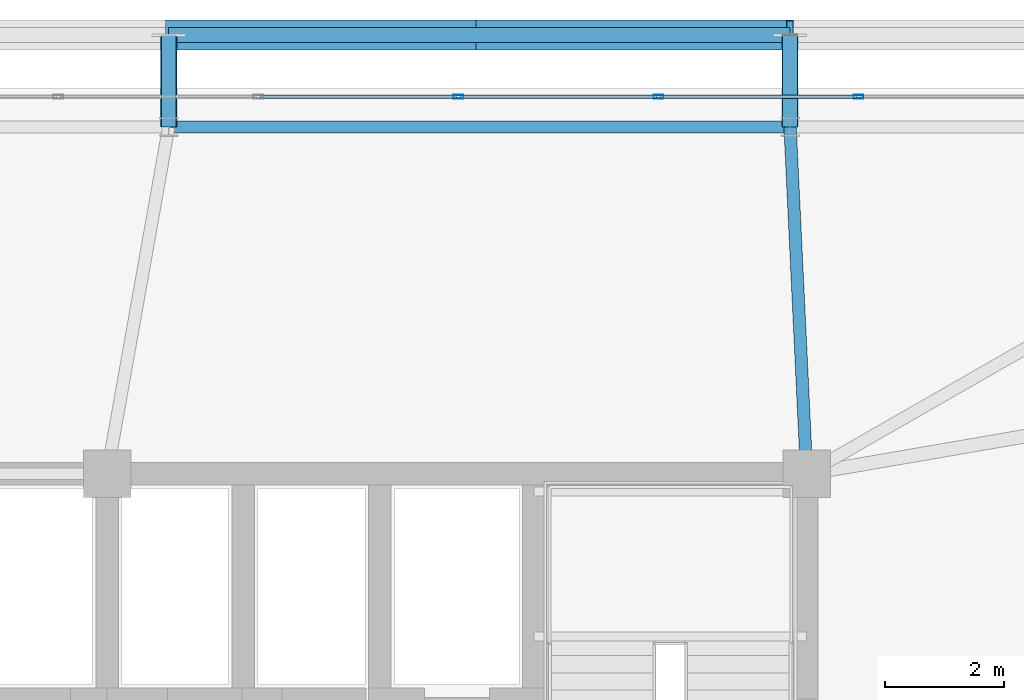
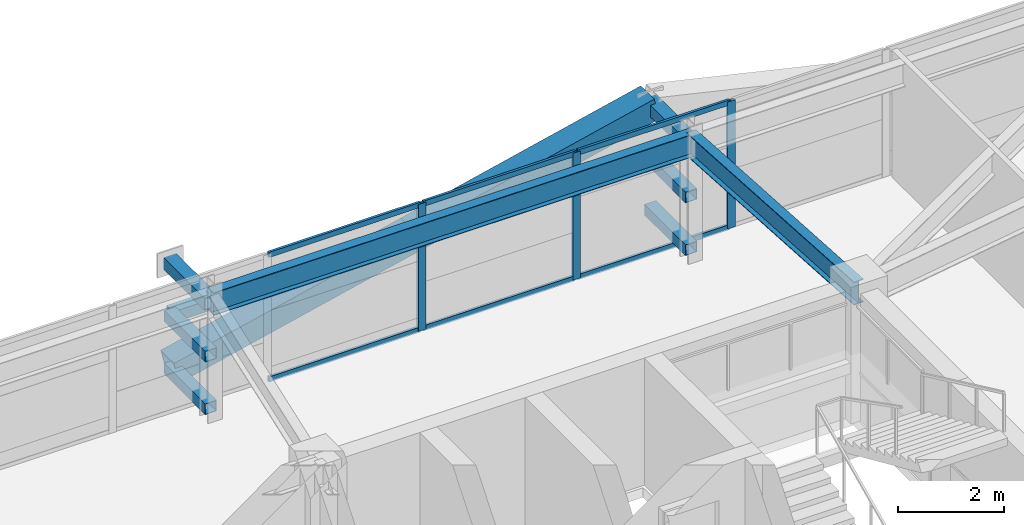
# One storey, part 38 of 59: 18 members, 2 beams, 1 element without a shape of its own.
"""IFC4 building model written with IfcOpenShell, lengths in metres."""

from ifc_helpers import new_model, si_unit, direction, frame, origin, origin_2d, place, context, subcontext, project, spatial, hollow_rectangle, i_section, extrude, source, transform, mapped, material, layer, layer_set, material_profile, profile_set, type_object, element, aggregate, save


model = new_model("IFC4")

# Units and contexts
model_context = context("Model", 3, precision=1e-05, world=origin(), true_north=direction((0.0, 1.0)))
body_context = subcontext(model_context, "Body", "Model", "MODEL_VIEW")
ifc_project = project(units=[si_unit("LENGTHUNIT", "METRE"), si_unit("AREAUNIT", "SQUARE_METRE"), si_unit("VOLUMEUNIT", "CUBIC_METRE"), si_unit("PLANEANGLEUNIT", "RADIAN"), si_unit("MASSUNIT", "GRAM", prefix="KILO")], contexts=[model_context])

# Site, building, storey
site_placement = place(None, origin())
site = spatial("IfcSite", under=ifc_project, at=site_placement, CompositionType="ELEMENT")
building_placement = place(site_placement, origin())
building = spatial("IfcBuilding", under=site, at=building_placement, Name="Taldren Reach Tower", CompositionType="ELEMENT")
storey_placement = place(building_placement, frame((0.0, 0.0, 45.14990234375)))
storey = spatial("IfcBuildingStorey", under=building, at=storey_placement, Name="L13", CompositionType="ELEMENT", Elevation=45.14990234375)

# Beams
ifc_material_1 = material(Name="Steel Gr 350 (350PLUS)", Category="steel")
ifc_material_profile_1 = material_profile(ifc_material_1, i_section(OverallWidth=0.208984375, OverallDepth=0.528076171875, WebThickness=0.009521484375, FlangeThickness=0.01318359375, at=origin_2d()), Name="530UB82.0")
ifc_profile_set_1 = profile_set([ifc_material_profile_1], Name="Steel Gr 350 (350PLUS)")
beam_type_1 = type_object("IfcBeamType", Name="SP-UB530B", PredefinedType="SPANDREL", material=ifc_profile_set_1)
shared_shape_1 = source(origin(), body_context, "Body", "SweptSolid", [
    extrude(i_section(OverallWidth=0.208984375, OverallDepth=0.528076171875, WebThickness=0.009521484375, FlangeThickness=0.01318359375, at=origin_2d()), origin(), (0.0, 0.0, 1.0), 10.47998046875),
])
beam_1_placement = place(storey_placement, frame((50.719970703125, 37.85009765625, 2.666015625), z_axis=(-1.0, 0.0, 0.0), x_axis=(0.0, -1.0, 0.0)))
element("IfcBeam", 1, at=beam_1_placement, inside=storey, type_object=beam_type_1, Name="Perimeter spandrel B1 N5-N4 L13", PredefinedType="SPANDREL", context=body_context, shape_type="MappedRepresentation", body=[
    mapped(shared_shape_1, transform((0.0, 0.0, 0.0), scale=1.0)),
])
ifc_material_profile_2 = material_profile(ifc_material_1, i_section(OverallWidth=0.208984375, OverallDepth=0.532958984375, WebThickness=0.01025390625, FlangeThickness=0.015625, at=origin_2d()), Name="530UB92.4")
ifc_profile_set_2 = profile_set([ifc_material_profile_2], Name="Steel Gr 350 (350PLUS)")
beam_type_2 = type_object("IfcBeamType", Name="BM-UB530A", PredefinedType="BEAM", material=ifc_profile_set_2)
shared_shape_2 = source(origin(), body_context, "Body", "SweptSolid", [
    extrude(i_section(OverallWidth=0.208984375, OverallDepth=0.532958984375, WebThickness=0.01025390625, FlangeThickness=0.015625, at=origin_2d()), origin(), (0.0, 0.0, 1.0), 5.856689453125),
])
beam_2_placement = place(storey_placement, frame((51.0, 32.0, 2.66357421875), z_axis=(-0.047812711672, 0.998856318297, 0.0), x_axis=(-0.998856318297, -0.047812711672, 0.0)))
element("IfcBeam", 2, at=beam_2_placement, inside=storey, type_object=beam_type_2, Name="Primary floor girder B1-N5 L13", PredefinedType="BEAM", context=body_context, shape_type="MappedRepresentation", body=[
    mapped(shared_shape_2, transform((0.0, 0.0, 0.0), scale=1.0)),
])

# Members
ifc_material_2 = material(Name="Steel Gr 450 (C450L0)", Category="steel")
ifc_material_profile_3 = material_profile(ifc_material_2, hollow_rectangle(XDim=0.27490234375, YDim=0.27490234375, WallThickness=0.00927734375, at=origin_2d()), Name="275x275x9.3SHS")
ifc_profile_set_3 = profile_set([ifc_material_profile_3], Name="Steel Gr 450 (C450L0)")
member_type_1 = type_object("IfcMemberType", Name="MB-TIE273", PredefinedType="STRUT", material=ifc_profile_set_3)
shared_shape_3 = source(origin(), body_context, "Body", "SweptSolid", [
    extrude(hollow_rectangle(XDim=0.27490234375, YDim=0.27490234375, WallThickness=0.00927734375, at=origin_2d()), origin(), (0.0, 0.0, 1.0), 1.5498046875),
])
for number, where, z_axis, x_axis, name in (
    (3, (40.239990234375, 37.85009765625, 2.650146484375), (0.0, 1.0, 0.0), (-1.0, 0.0, 0.0), "Exoskeleton diaphragm tie strut B1-N4 L13"),
    (4, (50.719970703125, 37.85009765625, 2.650146484375), (0.0, 1.0, 0.0), (-1.0, 0.0, 0.0), "Exoskeleton diaphragm tie strut B1-N5 L13"),
):
    element("IfcMember", number, at=place(storey_placement, frame(where, z_axis=z_axis, x_axis=x_axis)), inside=storey, type_object=member_type_1, Name=name, PredefinedType="STRUT", context=body_context, shape_type="MappedRepresentation", body=[
        mapped(shared_shape_3, transform((0.0, 0.0, 0.0), scale=1.0)),
    ])
ifc_material_profile_4 = material_profile(ifc_material_2, hollow_rectangle(XDim=0.510009765625, YDim=0.510009765625, WallThickness=0.02001953125, at=origin_2d()), Name="510x510x20.0SHS")
ifc_profile_set_4 = profile_set([ifc_material_profile_4], Name="Steel Gr 450 (C450L0)")
member_type_2 = type_object("IfcMemberType", Name="MB-EXO508", PredefinedType="BRACE", material=ifc_profile_set_4)
shared_shape_4 = source(origin(), body_context, "Body", "SweptSolid", [
    extrude(hollow_rectangle(XDim=0.510009765625, YDim=0.510009765625, WallThickness=0.02001953125, at=origin_2d()), origin(), (0.0, 0.0, 1.0), 5.37890625),
])
for number, where, z_axis, x_axis, name in (
    (5, (40.239990234375, 39.39990234375, 0.22021484375), (0.974161966843, 0.0, 0.225850531007), (0.0, 1.0, 0.0), "Exoskeleton Diagrid Brace B1-N4 L13"),
    (6, (45.47998046875, 39.39990234375, 1.43505859375), (0.97415197996, 0.0, 0.225893603143), (0.0, 1.0, 0.0), "Exoskeleton Diagrid Brace B1-N4 L13"),
):
    element("IfcMember", number, at=place(storey_placement, frame(where, z_axis=z_axis, x_axis=x_axis)), inside=storey, type_object=member_type_2, Name=name, PredefinedType="BRACE", context=body_context, shape_type="MappedRepresentation", body=[
        mapped(shared_shape_4, transform((0.0, 0.0, 0.0), scale=1.0)),
    ])
ifc_material_3 = material(Name="Steel Gr 350 (C350L0)", Category="steel")
ifc_material_profile_5 = material_profile(ifc_material_3, hollow_rectangle(XDim=0.25, YDim=0.25, WallThickness=0.010009765625, at=origin_2d()), Name="250x250x10.0SHS")
ifc_profile_set_5 = profile_set([ifc_material_profile_5], Name="Steel Gr 350 (C350L0)")
member_type_3 = type_object("IfcMemberType", Name="MB-POST250", PredefinedType="POST", material=ifc_profile_set_5)
shared_shape_5 = source(origin(), body_context, "Body", "SweptSolid", [
    extrude(hollow_rectangle(XDim=0.25, YDim=0.25, WallThickness=0.010009765625, at=origin_2d()), origin(), (0.0, 0.0, 1.0), 10.47998046875),
])
member_1_placement = place(storey_placement, frame((40.239990234375, 39.39990234375, 1.43505859375), z_axis=(1.0, 0.0, 0.0), x_axis=(0.0, 1.0, 0.0)))
element("IfcMember", 7, at=member_1_placement, inside=storey, type_object=member_type_3, Name="Exoskeleton mid-height ring chord B1-N4 L13", PredefinedType="POST", context=body_context, shape_type="MappedRepresentation", body=[
    mapped(shared_shape_5, transform((0.0, 0.0, 0.0), scale=1.0)),
])
shared_shape_6 = source(origin(), body_context, "Body", "SweptSolid", [
    extrude(hollow_rectangle(XDim=0.25, YDim=0.25, WallThickness=0.010009765625, at=origin_2d()), origin(), (0.0, 0.0, 1.0), 1.5498046875),
])
for number, where, z_axis, x_axis, name in (
    (8, (40.239990234375, 37.85009765625, 0.22021484375), (0.0, 1.0, 0.0), (-1.0, 0.0, 0.0), "Exoskeleton base diaphragm tie strut B1-N4 L13"),
    (9, (50.719970703125, 37.85009765625, 0.22021484375), (0.0, 1.0, 0.0), (-1.0, 0.0, 0.0), "Exoskeleton base diaphragm tie strut B1-N5 L13"),
    (10, (40.239990234375, 37.85009765625, 1.43505859375), (0.0, 1.0, 0.0), (-1.0, 0.0, 0.0), "Exoskeleton mid-tier diaphragm tie B1-N4 L13"),
    (11, (50.719970703125, 37.85009765625, 1.43505859375), (0.0, 1.0, 0.0), (-1.0, 0.0, 0.0), "Exoskeleton mid-tier diaphragm tie B1-N5 L13"),
):
    element("IfcMember", number, at=place(storey_placement, frame(where, z_axis=z_axis, x_axis=x_axis)), inside=storey, type_object=member_type_3, Name=name, PredefinedType="POST", context=body_context, shape_type="MappedRepresentation", body=[
        mapped(shared_shape_6, transform((0.0, 0.0, 0.0), scale=1.0)),
    ])

# Curtain wall, members
ifc_material_4 = material(Name="Aluminium and Low-E Glass Unitised System", Category="aluminium")
ifc_layer = layer(ifc_material_4, 0.159912109375)
ifc_layer_set = layer_set([ifc_layer], Name="Aluminium and Low-E Glass Unitised System")
curtain_wall_type = type_object("IfcCurtainWallType", Name="CW-SYS-2", PredefinedType="NOTDEFINED", material=ifc_layer_set)
curtain_wall_placement = place(storey_placement, origin())
curtain_wall = element("IfcCurtainWall", 12, at=curtain_wall_placement, inside=storey, type_object=curtain_wall_type, Name="Unitised curtain wall CW-L13-N", PredefinedType="NOTDEFINED")
ifc_material_5 = material(Name="Anodised Aluminium 6063-T6", Category="aluminium")
ifc_material_profile_6 = material_profile(ifc_material_5, hollow_rectangle(XDim=0.054931640625, YDim=0.1201171875, WallThickness=0.0029296875, at=origin_2d()), Name="ALU-120x55x3RHS")
ifc_profile_set_6 = profile_set([ifc_material_profile_6], Name="Anodised Aluminium 6063-T6")
member_type_4 = type_object("IfcMemberType", Name="CW-TRN-135", PredefinedType="USERDEFINED", material=ifc_profile_set_6)
shared_shape_7 = source(origin(), body_context, "Body", "SweptSolid", [
    extrude(hollow_rectangle(XDim=0.054931640625, YDim=0.1201171875, WallThickness=0.0029296875, at=origin_2d()), origin(), (0.0, 0.0, 1.0), 3.31005859375),
])
member_2_placement = place(storey_placement, frame((51.842529296875, 38.360107421875, 0.027587890625), z_axis=(-1.0, 0.0, 0.0), x_axis=(0.0, -1.0, 0.0)))
member_2 = element("IfcMember", 13, at=member_2_placement, type_object=member_type_4, Name="CW-2 transom 4.1", ObjectType="TRANSOM", PredefinedType="USERDEFINED", context=body_context, shape_type="MappedRepresentation", body=[
    mapped(shared_shape_7, transform((0.0, 0.0, 0.0), scale=1.0)),
])
member_3_placement = place(storey_placement, frame((51.842529296875, 38.360107421875, 2.902587890625), z_axis=(-1.0, 0.0, 0.0), x_axis=(0.0, -1.0, 0.0)))
member_3 = element("IfcMember", 14, at=member_3_placement, type_object=member_type_4, Name="CW-2 transom 4.2", ObjectType="TRANSOM", PredefinedType="USERDEFINED", context=body_context, shape_type="MappedRepresentation", body=[
    mapped(shared_shape_7, transform((0.0, 0.0, 0.0), scale=1.0)),
])
member_4_placement = place(storey_placement, frame((48.467529296875, 38.360107421875, 0.027587890625), z_axis=(-1.0, 0.0, 0.0), x_axis=(0.0, -1.0, 0.0)))
member_4 = element("IfcMember", 15, at=member_4_placement, type_object=member_type_4, Name="CW-2 transom 5.1", ObjectType="TRANSOM", PredefinedType="USERDEFINED", context=body_context, shape_type="MappedRepresentation", body=[
    mapped(shared_shape_7, transform((0.0, 0.0, 0.0), scale=1.0)),
])
member_5_placement = place(storey_placement, frame((48.467529296875, 38.360107421875, 2.902587890625), z_axis=(-1.0, 0.0, 0.0), x_axis=(0.0, -1.0, 0.0)))
member_5 = element("IfcMember", 16, at=member_5_placement, type_object=member_type_4, Name="CW-2 transom 5.2", ObjectType="TRANSOM", PredefinedType="USERDEFINED", context=body_context, shape_type="MappedRepresentation", body=[
    mapped(shared_shape_7, transform((0.0, 0.0, 0.0), scale=1.0)),
])
member_6_placement = place(storey_placement, frame((45.092529296875, 38.360107421875, 0.027587890625), z_axis=(-1.0, 0.0, 0.0), x_axis=(0.0, -1.0, 0.0)))
member_6 = element("IfcMember", 17, at=member_6_placement, type_object=member_type_4, Name="CW-2 transom 6.1", ObjectType="TRANSOM", PredefinedType="USERDEFINED", context=body_context, shape_type="MappedRepresentation", body=[
    mapped(shared_shape_7, transform((0.0, 0.0, 0.0), scale=1.0)),
])
member_7_placement = place(storey_placement, frame((45.092529296875, 38.360107421875, 2.902587890625), z_axis=(-1.0, 0.0, 0.0), x_axis=(0.0, -1.0, 0.0)))
member_7 = element("IfcMember", 18, at=member_7_placement, type_object=member_type_4, Name="CW-2 transom 6.2", ObjectType="TRANSOM", PredefinedType="USERDEFINED", context=body_context, shape_type="MappedRepresentation", body=[
    mapped(shared_shape_7, transform((0.0, 0.0, 0.0), scale=1.0)),
])
ifc_material_profile_7 = material_profile(ifc_material_5, hollow_rectangle(XDim=0.06494140625, YDim=0.1650390625, WallThickness=0.00390625, at=origin_2d()), Name="ALU-165x65x4RHS")
ifc_profile_set_7 = profile_set([ifc_material_profile_7], Name="Anodised Aluminium 6063-T6")
member_type_5 = type_object("IfcMemberType", Name="CW-MUL-165", PredefinedType="MULLION", material=ifc_profile_set_7)
shared_shape_8 = source(origin(), body_context, "Body", "SweptSolid", [
    extrude(hollow_rectangle(XDim=0.06494140625, YDim=0.1650390625, WallThickness=0.00390625, at=origin_2d()), origin(), (0.0, 0.0, 1.0), 2.93017578125),
])
member_8_placement = place(storey_placement, frame((51.875, 38.360107421875, 0.0), z_axis=(0.0, 0.0, 1.0), x_axis=(0.0, -1.0, 0.0)))
member_8 = element("IfcMember", 19, at=member_8_placement, type_object=member_type_5, Name="CW-2 mullion 4", PredefinedType="MULLION", context=body_context, shape_type="MappedRepresentation", body=[
    mapped(shared_shape_8, transform((0.0, 0.0, 0.0), scale=1.0)),
])
member_9_placement = place(storey_placement, frame((48.5, 38.360107421875, 0.0), z_axis=(0.0, 0.0, 1.0), x_axis=(0.0, -1.0, 0.0)))
member_9 = element("IfcMember", 20, at=member_9_placement, type_object=member_type_5, Name="CW-2 mullion 5", PredefinedType="MULLION", context=body_context, shape_type="MappedRepresentation", body=[
    mapped(shared_shape_8, transform((0.0, 0.0, 0.0), scale=1.0)),
])
member_10_placement = place(storey_placement, frame((45.125, 38.360107421875, 0.0), z_axis=(0.0, 0.0, 1.0), x_axis=(0.0, -1.0, 0.0)))
member_10 = element("IfcMember", 21, at=member_10_placement, type_object=member_type_5, Name="CW-2 mullion 6", PredefinedType="MULLION", context=body_context, shape_type="MappedRepresentation", body=[
    mapped(shared_shape_8, transform((0.0, 0.0, 0.0), scale=1.0)),
])
aggregate(curtain_wall, [member_8, member_9, member_10, member_2, member_3, member_4, member_5, member_6, member_7])

save(model, "model.ifc")
